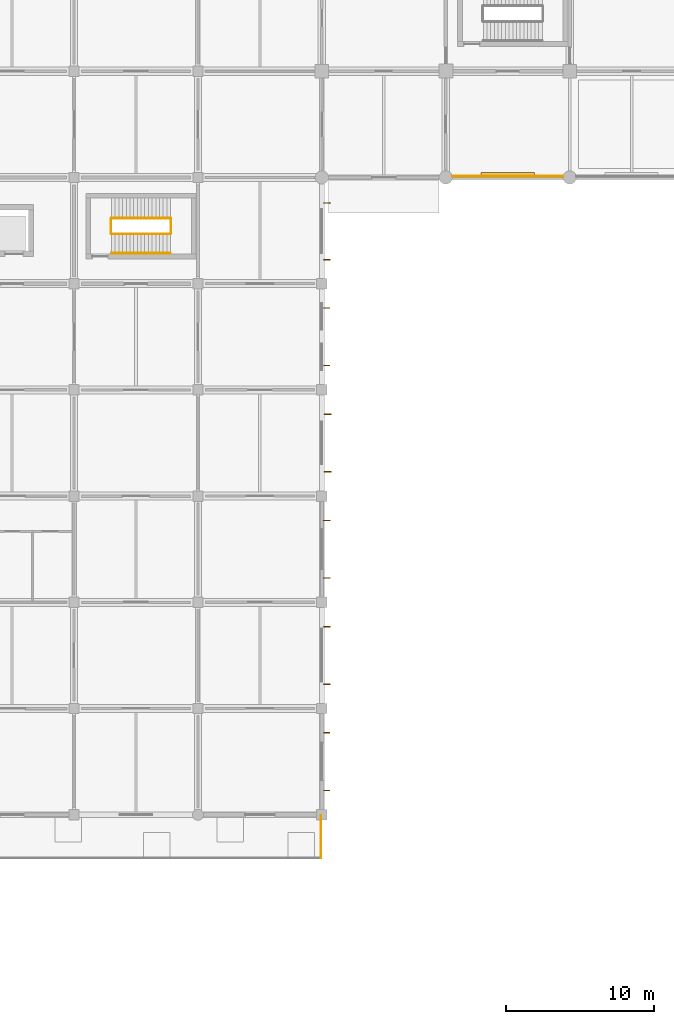
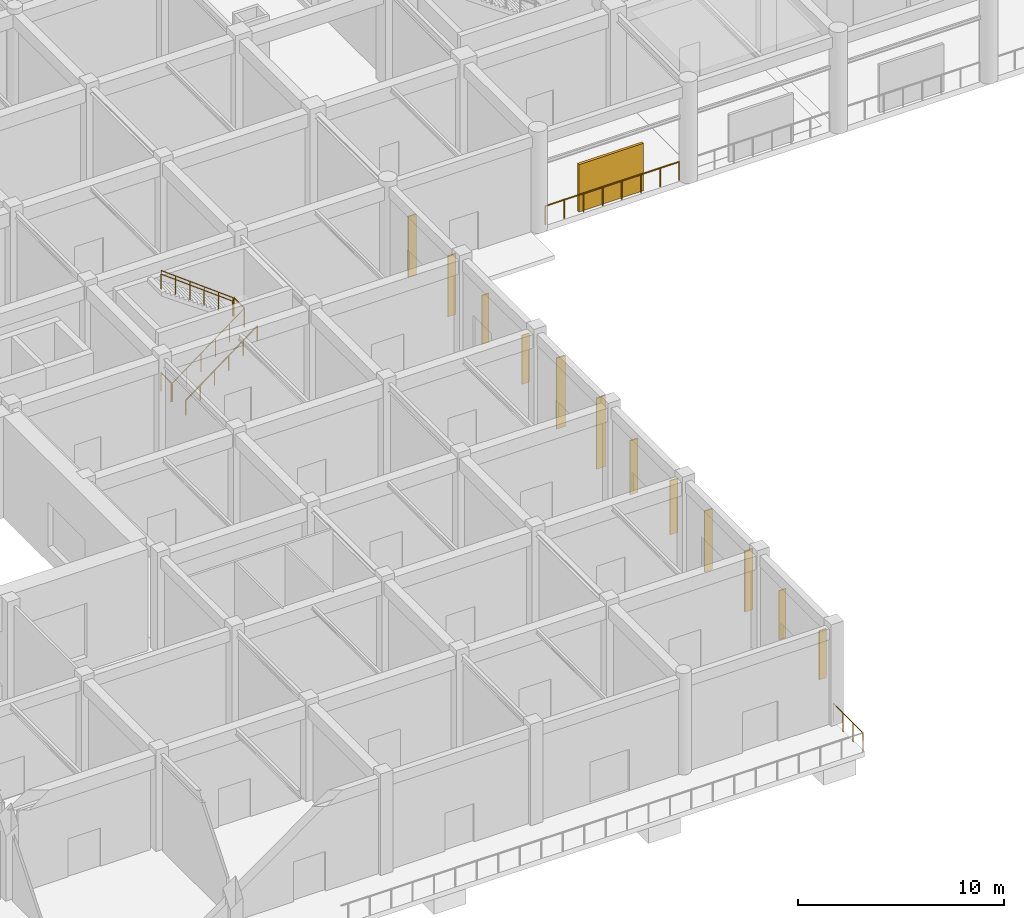
# One storey, part 32 of 39: 13 shading devices, 8 railings.
"""IFC4 building model written with IfcOpenShell, lengths in metres."""

import ifcopenshell
import ifcopenshell.guid

model = None  # the IFC model being written
_history = None  # IfcOwnerHistory: only IFC2X3 demands one
_inside = {}  # id of a spatial element -> (the spatial element, [elements in it])
_under = {}  # id of a project, library or spatial element -> (it, [spatial elements below it])
_declared = {}  # id of a project -> (the project, [libraries it declares])
_typed = {}  # id of a type object -> (the type object, [elements of that type])
_made_of = {}  # id of a material, layer set ... -> (it, [elements and type objects made of it])


def new_model(schema):
    """Start an empty IFC model of exactly this schema.

    Asked for "IFC4X3", IfcOpenShell would pick the latest addendum, in which some entities
    have other attributes; the version numbers below select the first issue.
    IFC2X3 requires an IfcOwnerHistory on every rooted entity: one is made here for all.
    """
    global model, _history
    if schema == "IFC4X3":
        model = ifcopenshell.file(schema_version=(4, 3, 0, 0))
    else:
        model = ifcopenshell.file(schema=schema)
    _inside.clear()
    _under.clear()
    _declared.clear()
    _typed.clear()
    _made_of.clear()
    _history = None
    if model.schema == "IFC2X3":
        org = make("IfcOrganization", Name="unknown")
        user = make(
            "IfcPersonAndOrganization",
            ThePerson=make("IfcPerson", FamilyName="unknown"),
            TheOrganization=org,
        )
        app = make(
            "IfcApplication",
            ApplicationDeveloper=org,
            Version="unknown",
            ApplicationFullName="unknown",
            ApplicationIdentifier="unknown",
        )
        _history = make(
            "IfcOwnerHistory",
            OwningUser=user,
            OwningApplication=app,
            ChangeAction="ADDED",
            CreationDate=0,
        )
    return model


def make(cls, **values):
    """One entity of the class cls with the attributes given. An attribute that is None is left unset."""
    return model.create_entity(
        cls, **{name: value for name, value in values.items() if value is not None}
    )


def rooted(cls, **values):
    """An entity with a GlobalId (a new one), such as an element, a storey or a relation."""
    return make(cls, GlobalId=ifcopenshell.guid.new(), OwnerHistory=_history, **values)


def si_unit(unit_type, name, prefix=None):
    """IfcSIUnit, for example si_unit("LENGTHUNIT", "METRE", prefix="MILLI")."""
    return make("IfcSIUnit", UnitType=unit_type, Prefix=prefix, Name=name)


def derived_unit(unit_type, elements):
    """IfcDerivedUnit: a product of units, each with its exponent."""
    return make(
        "IfcDerivedUnit",
        Elements=[
            make("IfcDerivedUnitElement", Unit=unit, Exponent=power)
            for unit, power in elements
        ],
        UnitType=unit_type,
    )


def assignment(units):
    """IfcUnitAssignment: the units of a project."""
    return None if units is None else make("IfcUnitAssignment", Units=units)


def point(xyz):
    """IfcCartesianPoint."""
    return None if xyz is None else make("IfcCartesianPoint", Coordinates=xyz)


def direction(xyz):
    """IfcDirection."""
    return None if xyz is None else make("IfcDirection", DirectionRatios=xyz)


def frame(location, z_axis=None, x_axis=None):
    """IfcAxis2Placement3D, a coordinate frame: its origin and axes. An axis left out is left unset."""
    return make(
        "IfcAxis2Placement3D",
        Location=point(location),
        Axis=direction(z_axis),
        RefDirection=direction(x_axis),
    )


def frame_2d(location, x_axis=None):
    """IfcAxis2Placement2D, a coordinate frame in the plane: its origin and x axis."""
    return make(
        "IfcAxis2Placement2D", Location=point(location), RefDirection=direction(x_axis)
    )


def origin():
    """The frame at (0, 0, 0) with its axes left unset."""
    return frame((0.0, 0.0, 0.0))


def origin_2d():
    """The frame at (0, 0) in the plane with its x axis left unset."""
    return frame_2d((0.0, 0.0))


def place(relative_to, where):
    """IfcLocalPlacement: puts the frame where relative to a parent placement (None: the world)."""
    return make(
        "IfcLocalPlacement", PlacementRelTo=relative_to, RelativePlacement=where
    )


def context(
    kind, dimensions, precision=None, world=None, true_north=None, identifier=None
):
    """IfcGeometricRepresentationContext, for example the 3D "Model" context."""
    return make(
        "IfcGeometricRepresentationContext",
        ContextIdentifier=identifier,
        ContextType=kind,
        CoordinateSpaceDimension=dimensions,
        Precision=precision,
        WorldCoordinateSystem=world,
        TrueNorth=true_north,
    )


def subcontext(parent, identifier, kind, view, scale=None):
    """IfcGeometricRepresentationSubContext, for example "Body" below "Model"."""
    return make(
        "IfcGeometricRepresentationSubContext",
        ContextIdentifier=identifier,
        ContextType=kind,
        ParentContext=parent,
        TargetScale=scale,
        TargetView=view,
    )


def project(units=None, contexts=None):
    """IfcProject with its units and contexts."""
    return rooted(
        "IfcProject",
        Name="project",
        RepresentationContexts=contexts,
        UnitsInContext=assignment(units),
    )


def spatial(cls, under=None, at=None, **own):
    """A site, building, storey or space (cls), placed at a placement, below another one or the project."""
    s = rooted(cls, ObjectPlacement=at, **own)
    if under is not None:
        _under.setdefault(under.id(), (under, []))[1].append(s)
    return s


def profile(cls, at=None, kind="AREA", **sizes):
    """A parametric profile (cls). Its sizes go by their IFC names, for example OverallWidth=200.0."""
    return make(cls, ProfileType=kind, Position=at, **sizes)


def rectangle(**sizes):
    """IfcRectangleProfileDef."""
    return profile("IfcRectangleProfileDef", **sizes)


def circle(**sizes):
    """IfcCircleProfileDef."""
    return profile("IfcCircleProfileDef", **sizes)


def extrude(swept, where, along, depth):
    """IfcExtrudedAreaSolid: the profile swept, set in the frame where, extruded along a direction by depth."""
    return make(
        "IfcExtrudedAreaSolid",
        SweptArea=swept,
        Position=where,
        ExtrudedDirection=direction(along),
        Depth=depth,
    )


def shape(context_of_items, identifier, shape_type, items):
    """IfcShapeRepresentation: the items that make up one representation, for example the "Body"."""
    return make(
        "IfcShapeRepresentation",
        ContextOfItems=context_of_items,
        RepresentationIdentifier=identifier,
        RepresentationType=shape_type,
        Items=items,
    )


def material(Name=None, Category=None):
    """IfcMaterial."""
    return make("IfcMaterial", Name=Name, Category=Category)


def layer(
    of_material, thickness, ventilated=None, Name=None, Category=None, Priority=None
):
    """IfcMaterialLayer: one layer of a wall or slab, of a material (None: an air gap)."""
    return make(
        "IfcMaterialLayer",
        Material=of_material,
        LayerThickness=thickness,
        IsVentilated=ventilated,
        Name=Name,
        Category=Category,
        Priority=Priority,
    )


def layer_set(layers, Name=None):
    """IfcMaterialLayerSet."""
    return make("IfcMaterialLayerSet", MaterialLayers=layers, LayerSetName=Name)


def made_of(thing, what):
    """Note that an element or type object is made of a material, layer set ...; save() writes the relation."""
    if what is not None:
        _made_of.setdefault(what.id(), (what, []))[1].append(thing)
    return thing


def type_object(cls, material=None, **own):
    """A type object (cls), such as IfcWallType, which elements share."""
    return made_of(rooted(cls, **own), material)


def element(
    cls,
    number,
    at=None,
    inside=None,
    cuts=None,
    type_object=None,
    material=None,
    context=None,
    identifier="Body",
    shape_type=None,
    held_by="IfcProductDefinitionShape",
    body=None,
    shapes=None,
    **own,
):
    """One element of the class cls, such as IfcWall. Its Tag is "e" and its number.

    at: its placement. inside: the storey or other place that contains it. cuts: it is an
    opening in that element (IfcRelVoidsElement). A single representation is given by context,
    identifier, shape_type and body (its items); several are given by shapes. held_by: the class
    of the entity that holds the representations. save() writes the other relations.
    """
    e = rooted(cls, Tag="e%d" % number, ObjectPlacement=at, **own)
    if body is not None:
        shapes = [shape(context, identifier, shape_type, body)]
    if shapes is not None:
        e.Representation = make(held_by, Representations=shapes)
    if inside is not None:
        _inside.setdefault(inside.id(), (inside, []))[1].append(e)
    if cuts is not None:
        rooted(
            "IfcRelVoidsElement", RelatingBuildingElement=cuts, RelatedOpeningElement=e
        )
    if type_object is not None:
        _typed.setdefault(type_object.id(), (type_object, []))[1].append(e)
    return made_of(e, material)


def aggregate(whole, parts):
    """IfcRelAggregates: a whole, such as a stair, and the parts it consists of."""
    return rooted("IfcRelAggregates", RelatingObject=whole, RelatedObjects=parts)


def save(model, path):
    """Write the relations noted so far, then the file.

    IfcRelAggregates (storeys below a building ...), IfcRelContainedInSpatialStructure (elements
    in a storey), IfcRelDefinesByType, IfcRelAssociatesMaterial and IfcRelDeclares: one each for
    every whole, place, type object, material and project.
    """
    for whole, parts in _under.values():
        aggregate(whole, parts)
    for where, things in _inside.values():
        rooted(
            "IfcRelContainedInSpatialStructure",
            RelatedElements=things,
            RelatingStructure=where,
        )
    for kind, things in _typed.values():
        rooted("IfcRelDefinesByType", RelatedObjects=things, RelatingType=kind)
    for what, things in _made_of.values():
        rooted("IfcRelAssociatesMaterial", RelatedObjects=things, RelatingMaterial=what)
    for by, libraries in _declared.values():
        rooted("IfcRelDeclares", RelatingContext=by, RelatedDefinitions=libraries)
    model.write(path)


model = new_model("IFC4")

# Units and contexts
model_context = context("Model", 3, precision=1e-05, world=origin(), true_north=direction((0.0, 1.0)))
body_context = subcontext(model_context, "Body", "Model", "MODEL_VIEW")
ifc_project = project(units=[si_unit("LENGTHUNIT", "METRE"), si_unit("AREAUNIT", "SQUARE_METRE"), si_unit("VOLUMEUNIT", "CUBIC_METRE"), si_unit("PLANEANGLEUNIT", "RADIAN"), si_unit("MASSUNIT", "GRAM", prefix="KILO"), derived_unit("THERMALTRANSMITTANCEUNIT", [(si_unit("MASSUNIT", "GRAM", prefix="KILO"), 1), (si_unit("TIMEUNIT", "SECOND"), -3), (si_unit("THERMODYNAMICTEMPERATUREUNIT", "KELVIN"), -1)])], contexts=[model_context])

# Site, building, storey
site_placement = place(None, origin())
site = spatial("IfcSite", under=ifc_project, at=site_placement, CompositionType="ELEMENT")
building_placement = place(site_placement, origin())
building = spatial("IfcBuilding", under=site, at=building_placement, Name="Veldstrom Oceanarium and Marine Research Institute", CompositionType="ELEMENT")
storey_placement = place(building_placement, origin())
storey = spatial("IfcBuildingStorey", under=building, at=storey_placement, Name="L00", CompositionType="ELEMENT", Elevation=0.0)

# Railings
ifc_material_1 = material(Name="Duplex Stainless Steel Balustrade", Category="steel")
ifc_layer_1 = layer(ifc_material_1, 0.06005859375)
ifc_layer_set_1 = layer_set([ifc_layer_1], Name="ARC-RLG-GR1")
railing_type_1 = type_object("IfcRailingType", Name="ARC-RLG-GR1", PredefinedType="GUARDRAIL", material=ifc_layer_set_1)
railing_1_placement = place(storey_placement, frame((76.050048828125, 43.280029296875, 0.0)))
element("IfcRailing", 1, at=railing_1_placement, inside=storey, type_object=railing_type_1, Name="Pilotis Breezeway Edge Guardrail L00-S9", PredefinedType="GUARDRAIL", context=body_context, shape_type="SweptSolid", body=[
    extrude(circle(Radius=0.02392578125, at=origin_2d()), frame((0.0, 0.0, 1.09619140625), z_axis=(1.0, 0.0, 0.0), x_axis=(0.0, 1.0, 0.0)), (0.0, 0.0, 1.0), 7.5),
    extrude(circle(Radius=0.02099609375, at=origin_2d()), origin(), (0.0, 0.0, 1.0), 1.072021484375),
    extrude(circle(Radius=0.02099609375, at=origin_2d()), frame((1.071533203125, 0.0, 0.0)), (0.0, 0.0, 1.0), 1.072021484375),
    extrude(circle(Radius=0.02099609375, at=origin_2d()), frame((2.142822265625, 0.0, 0.0)), (0.0, 0.0, 1.0), 1.072021484375),
    extrude(circle(Radius=0.02099609375, at=origin_2d()), frame((3.21435546875, 0.0, 0.0)), (0.0, 0.0, 1.0), 1.072021484375),
    extrude(circle(Radius=0.02099609375, at=origin_2d()), frame((4.28564453125, 0.0, 0.0)), (0.0, 0.0, 1.0), 1.072021484375),
    extrude(circle(Radius=0.02099609375, at=origin_2d()), frame((5.357177734375, 0.0, 0.0)), (0.0, 0.0, 1.0), 1.072021484375),
    extrude(circle(Radius=0.02099609375, at=origin_2d()), frame((6.428466796875, 0.0, 0.0)), (0.0, 0.0, 1.0), 1.072021484375),
    extrude(circle(Radius=0.02099609375, at=origin_2d()), frame((7.5, 0.0, 0.0)), (0.0, 0.0, 1.0), 1.072021484375),
])
railing_2_placement = place(storey_placement, frame((52.89990234375, 39.39990234375, 0.0)))
element("IfcRailing", 2, at=railing_2_placement, inside=storey, type_object=railing_type_1, Name="Stair Well Landing Guard ST6 L00", PredefinedType="GUARDRAIL", context=body_context, shape_type="SweptSolid", body=[
    extrude(circle(Radius=0.02392578125, at=origin_2d()), frame((0.0, 0.0, 1.09619140625), z_axis=(0.0, 1.0, 0.0), x_axis=(-1.0, 0.0, 0.0)), (0.0, 0.0, 1.0), 1.0),
    extrude(circle(Radius=0.02099609375, at=origin_2d()), origin(), (0.0, 0.0, 1.0), 1.072021484375),
    extrude(circle(Radius=0.02099609375, at=origin_2d()), frame((0.0, 1.0, 0.0)), (0.0, 0.0, 1.0), 1.072021484375),
])
railing_3_placement = place(storey_placement, frame((52.93994140625, 39.360107421875, 0.0)))
element("IfcRailing", 3, at=railing_3_placement, inside=storey, type_object=railing_type_1, Name="Stair Flight Guardrail ST6-L00-1", PredefinedType="GUARDRAIL", context=body_context, shape_type="SweptSolid", body=[
    extrude(circle(Radius=0.02392578125, at=origin_2d()), frame((0.0, 0.0, 1.09619140625), z_axis=(0.8, 0.0, 0.6), x_axis=(0.0, 1.0, 0.0)), (0.0, 0.0, 1.0), 5.0),
    extrude(circle(Radius=0.02099609375, at=origin_2d()), origin(), (0.0, 0.0, 1.0), 1.072021484375),
    extrude(circle(Radius=0.02099609375, at=origin_2d()), frame((0.800048828125, 0.0, 0.60009765625)), (0.0, 0.0, 1.0), 1.072021484375),
    extrude(circle(Radius=0.02099609375, at=origin_2d()), frame((1.60009765625, 0.0, 1.199951171875)), (0.0, 0.0, 1.0), 1.072021484375),
    extrude(circle(Radius=0.02099609375, at=origin_2d()), frame((2.39990234375, 0.0, 1.800048828125)), (0.0, 0.0, 1.0), 1.072021484375),
    extrude(circle(Radius=0.02099609375, at=origin_2d()), frame((3.199951171875, 0.0, 2.39990234375)), (0.0, 0.0, 1.0), 1.072021484375),
    extrude(circle(Radius=0.02099609375, at=origin_2d()), frame((4.0, 0.0, 3.0)), (0.0, 0.0, 1.0), 1.072021484375),
])
railing_4_placement = place(storey_placement, frame((56.97998046875, 39.39990234375, 3.0)))
element("IfcRailing", 4, at=railing_4_placement, inside=storey, type_object=railing_type_1, Name="Stair Half-Landing Guardrail ST6-L00", PredefinedType="GUARDRAIL", context=body_context, shape_type="SweptSolid", body=[
    extrude(circle(Radius=0.02392578125, at=origin_2d()), frame((0.0, 0.0, 1.09619140625), z_axis=(0.0, 1.0, 0.0), x_axis=(-1.0, 0.0, 0.0)), (0.0, 0.0, 1.0), 1.0),
    extrude(circle(Radius=0.02099609375, at=origin_2d()), origin(), (0.0, 0.0, 1.0), 1.072021484375),
    extrude(circle(Radius=0.02099609375, at=origin_2d()), frame((0.0, 1.0, 0.0)), (0.0, 0.0, 1.0), 1.072021484375),
])
railing_5_placement = place(storey_placement, frame((56.93994140625, 40.43994140625, 3.0)))
element("IfcRailing", 5, at=railing_5_placement, inside=storey, type_object=railing_type_1, Name="Stair Flight Guardrail ST6-L00-2", PredefinedType="GUARDRAIL", context=body_context, shape_type="SweptSolid", body=[
    extrude(circle(Radius=0.02392578125, at=origin_2d()), frame((0.0, 0.0, 1.09619140625), z_axis=(-0.8, 0.0, 0.6), x_axis=(0.0, -1.0, 0.0)), (0.0, 0.0, 1.0), 5.0),
    extrude(circle(Radius=0.02099609375, at=origin_2d()), origin(), (0.0, 0.0, 1.0), 1.072021484375),
    extrude(circle(Radius=0.02099609375, at=origin_2d()), frame((-0.800048828125, 0.0, 0.60009765625)), (0.0, 0.0, 1.0), 1.072021484375),
    extrude(circle(Radius=0.02099609375, at=origin_2d()), frame((-1.60009765625, 0.0, 1.199951171875)), (0.0, 0.0, 1.0), 1.072021484375),
    extrude(circle(Radius=0.02099609375, at=origin_2d()), frame((-2.39990234375, 0.0, 1.800048828125)), (0.0, 0.0, 1.0), 1.072021484375),
    extrude(circle(Radius=0.02099609375, at=origin_2d()), frame((-3.199951171875, 0.0, 2.39990234375)), (0.0, 0.0, 1.0), 1.072021484375),
    extrude(circle(Radius=0.02099609375, at=origin_2d()), frame((-4.0, 0.0, 3.0)), (0.0, 0.0, 1.0), 1.072021484375),
])
railing_6_placement = place(storey_placement, frame((67.139892578125, -2.93994140625, 0.0)))
element("IfcRailing", 6, at=railing_6_placement, inside=storey, type_object=railing_type_1, Name="Forecourt Plaza E Guardrail", PredefinedType="GUARDRAIL", context=body_context, shape_type="SweptSolid", body=[
    extrude(circle(Radius=0.02392578125, at=origin_2d()), frame((0.0, 0.0, 1.09619140625), z_axis=(0.0, 1.0, 0.0), x_axis=(-1.0, 0.0, 0.0)), (0.0, 0.0, 1.0), 2.8798828125),
    extrude(circle(Radius=0.02099609375, at=origin_2d()), origin(), (0.0, 0.0, 1.0), 1.072021484375),
    extrude(circle(Radius=0.02099609375, at=origin_2d()), frame((0.0, 0.9599609375, 0.0)), (0.0, 0.0, 1.0), 1.072021484375),
    extrude(circle(Radius=0.02099609375, at=origin_2d()), frame((0.0, 1.919921875, 0.0)), (0.0, 0.0, 1.0), 1.072021484375),
    extrude(circle(Radius=0.02099609375, at=origin_2d()), frame((0.0, 2.8798828125, 0.0)), (0.0, 0.0, 1.0), 1.072021484375),
])
ifc_material_2 = material(Name="Brushed Stainless Steel Handrail", Category="steel")
ifc_layer_2 = layer(ifc_material_2, 0.050048828125)
ifc_layer_set_2 = layer_set([ifc_layer_2], Name="ARC-RLG-HR1")
railing_type_2 = type_object("IfcRailingType", Name="ARC-RLG-HR1", PredefinedType="HANDRAIL", material=ifc_layer_set_2)
railing_7_placement = place(storey_placement, frame((52.93994140625, 38.06005859375, 0.0)))
element("IfcRailing", 7, at=railing_7_placement, inside=storey, type_object=railing_type_2, Name="Stair Wall Handrail ST6-L00-1", PredefinedType="HANDRAIL", context=body_context, shape_type="SweptSolid", body=[
    extrude(circle(Radius=0.02392578125, at=origin_2d()), frame((0.0, 0.0, 0.8759765625), z_axis=(0.8, 0.0, 0.6), x_axis=(0.0, 1.0, 0.0)), (0.0, 0.0, 1.0), 5.0),
    extrude(circle(Radius=0.02099609375, at=origin_2d()), origin(), (0.0, 0.0, 1.0), 0.851806640625),
    extrude(circle(Radius=0.02099609375, at=origin_2d()), frame((0.800048828125, 0.0, 0.60009765625)), (0.0, 0.0, 1.0), 0.851806640625),
    extrude(circle(Radius=0.02099609375, at=origin_2d()), frame((1.60009765625, 0.0, 1.199951171875)), (0.0, 0.0, 1.0), 0.851806640625),
    extrude(circle(Radius=0.02099609375, at=origin_2d()), frame((2.39990234375, 0.0, 1.800048828125)), (0.0, 0.0, 1.0), 0.851806640625),
    extrude(circle(Radius=0.02099609375, at=origin_2d()), frame((3.199951171875, 0.0, 2.39990234375)), (0.0, 0.0, 1.0), 0.851806640625),
    extrude(circle(Radius=0.02099609375, at=origin_2d()), frame((4.0, 0.0, 3.0)), (0.0, 0.0, 1.0), 0.851806640625),
])
railing_8_placement = place(storey_placement, frame((56.93994140625, 40.4599609375, 3.0)))
element("IfcRailing", 8, at=railing_8_placement, inside=storey, type_object=railing_type_2, Name="Stair Wall Handrail ST6-L00-2", PredefinedType="HANDRAIL", context=body_context, shape_type="SweptSolid", body=[
    extrude(circle(Radius=0.02392578125, at=origin_2d()), frame((0.0, 0.0, 0.8759765625), z_axis=(-0.8, 0.0, 0.6), x_axis=(0.0, -1.0, 0.0)), (0.0, 0.0, 1.0), 5.0),
    extrude(circle(Radius=0.02099609375, at=origin_2d()), origin(), (0.0, 0.0, 1.0), 0.851806640625),
    extrude(circle(Radius=0.02099609375, at=origin_2d()), frame((-0.800048828125, 0.0, 0.60009765625)), (0.0, 0.0, 1.0), 0.851806640625),
    extrude(circle(Radius=0.02099609375, at=origin_2d()), frame((-1.60009765625, 0.0, 1.199951171875)), (0.0, 0.0, 1.0), 0.851806640625),
    extrude(circle(Radius=0.02099609375, at=origin_2d()), frame((-2.39990234375, 0.0, 1.800048828125)), (0.0, 0.0, 1.0), 0.851806640625),
    extrude(circle(Radius=0.02099609375, at=origin_2d()), frame((-3.199951171875, 0.0, 2.39990234375)), (0.0, 0.0, 1.0), 0.851806640625),
    extrude(circle(Radius=0.02099609375, at=origin_2d()), frame((-4.0, 0.0, 3.0)), (0.0, 0.0, 1.0), 0.851806640625),
])

# Shading devices
ifc_material_3 = material(Name="Precast Terracotta Brise-Soleil Louvre", Category="masonry")
ifc_layer_3 = layer(ifc_material_3, 3.60009765625)
ifc_layer_set_3 = layer_set([ifc_layer_3], Name="ARC-SHD-BS01")
shading_device_type_1 = type_object("IfcShadingDeviceType", Name="ARC-SHD-BS01", PredefinedType="JALOUSIE", material=ifc_layer_set_3)
for number, where, z_axis, x_axis, name in (
    (9, (67.544921875, 8.85009765625, 1.037353515625), (0.0, 0.0, 1.0), (1.0, 0.0, 0.0), "Terracotta Brise-Soleil Louvre L00-008"),
    (10, (67.544921875, 12.75, 1.037353515625), (0.0, 0.0, 1.0), (1.0, 0.0, 0.0), "Terracotta Brise-Soleil Louvre L00-008"),
    (11, (67.554931640625, 37.6298828125, 1.037353515625), (0.0, 0.0, 1.0), (1.0, 0.0, 0.0), "Terracotta Brise-Soleil Louvre L00-012"),
    (12, (67.554931640625, 41.469970703125, 1.037353515625), (0.0, 0.0, 1.0), (1.0, 0.0, 0.0), "Terracotta Brise-Soleil Louvre L00-012"),
):
    element("IfcShadingDevice", number, at=place(storey_placement, frame(where, z_axis=z_axis, x_axis=x_axis)), inside=storey, type_object=shading_device_type_1, Name=name, PredefinedType="JALOUSIE", context=body_context, shape_type="SweptSolid", body=[
        extrude(rectangle(XDim=0.449951171875, YDim=0.06005859375, at=origin_2d()), origin(), (0.0, 0.0, 1.0), 3.60009765625),
    ])
ifc_material_4 = material(Name="Precast Terracotta Brise-Soleil Louvre", Category="masonry")
ifc_layer_4 = layer(ifc_material_4, 3.199951171875)
ifc_layer_set_4 = layer_set([ifc_layer_4], Name="ARC-SHD-BS02")
shading_device_type_2 = type_object("IfcShadingDeviceType", Name="ARC-SHD-BS02", PredefinedType="JALOUSIE", material=ifc_layer_set_4)
for number, where, z_axis, x_axis, name in (
    (13, (67.527587890625, 16.050048828125, 1.2373046875), (0.0, 0.0, 1.0), (1.0, 0.0, 0.0), "Terracotta Brise-Soleil Louvre L00-009"),
    (14, (67.527587890625, 19.949951171875, 1.2373046875), (0.0, 0.0, 1.0), (1.0, 0.0, 0.0), "Terracotta Brise-Soleil Louvre L00-009"),
):
    element("IfcShadingDevice", number, at=place(storey_placement, frame(where, z_axis=z_axis, x_axis=x_axis)), inside=storey, type_object=shading_device_type_2, Name=name, PredefinedType="JALOUSIE", context=body_context, shape_type="SweptSolid", body=[
        extrude(rectangle(XDim=0.449951171875, YDim=0.06005859375, at=origin_2d()), origin(), (0.0, 0.0, 1.0), 3.199951171875),
    ])
ifc_material_5 = material(Name="Precast Terracotta Brise-Soleil Louvre", Category="masonry")
ifc_layer_5 = layer(ifc_material_5, 4.199951171875)
ifc_layer_set_5 = layer_set([ifc_layer_5], Name="ARC-SHD-BS03")
shading_device_type_3 = type_object("IfcShadingDeviceType", Name="ARC-SHD-BS03", PredefinedType="JALOUSIE", material=ifc_layer_set_5)
for number, where, z_axis, x_axis, name in (
    (15, (67.60009765625, 23.25, 0.7373046875), (0.0, 0.0, 1.0), (1.0, 0.0, 0.0), "Terracotta Brise-Soleil Louvre L00-010"),
    (16, (67.60009765625, 27.14990234375, 0.7373046875), (0.0, 0.0, 1.0), (1.0, 0.0, 0.0), "Terracotta Brise-Soleil Louvre L00-010"),
):
    element("IfcShadingDevice", number, at=place(storey_placement, frame(where, z_axis=z_axis, x_axis=x_axis)), inside=storey, type_object=shading_device_type_3, Name=name, PredefinedType="JALOUSIE", context=body_context, shape_type="SweptSolid", body=[
        extrude(rectangle(XDim=0.5, YDim=0.06494140625, at=origin_2d()), origin(), (0.0, 0.0, 1.0), 4.199951171875),
    ])
ifc_material_6 = material(Name="Precast Terracotta Brise-Soleil Louvre", Category="masonry")
ifc_layer_6 = layer(ifc_material_6, 2.89990234375)
ifc_layer_set_6 = layer_set([ifc_layer_6], Name="ARC-SHD-BS04")
shading_device_type_4 = type_object("IfcShadingDeviceType", Name="ARC-SHD-BS04", PredefinedType="JALOUSIE", material=ifc_layer_set_6)
for number, where, z_axis, x_axis, name in (
    (17, (67.530029296875, 1.64990234375, 1.387451171875), (0.0, 0.0, 1.0), (1.0, 0.0, 0.0), "Terracotta Brise-Soleil Louvre L00-007"),
    (18, (67.530029296875, 5.550048828125, 1.387451171875), (0.0, 0.0, 1.0), (1.0, 0.0, 0.0), "Terracotta Brise-Soleil Louvre L00-007"),
    (19, (67.5400390625, 30.449951171875, 1.387451171875), (0.0, 0.0, 1.0), (1.0, 0.0, 0.0), "Terracotta Brise-Soleil Louvre L00-011"),
    (20, (67.5400390625, 34.35009765625, 1.387451171875), (0.0, 0.0, 1.0), (1.0, 0.0, 0.0), "Terracotta Brise-Soleil Louvre L00-011"),
):
    element("IfcShadingDevice", number, at=place(storey_placement, frame(where, z_axis=z_axis, x_axis=x_axis)), inside=storey, type_object=shading_device_type_4, Name=name, PredefinedType="JALOUSIE", context=body_context, shape_type="SweptSolid", body=[
        extrude(rectangle(XDim=0.39990234375, YDim=0.054931640625, at=origin_2d()), origin(), (0.0, 0.0, 1.0), 2.89990234375),
    ])
ifc_material_7 = material(Name="Precast GRC Claustra Sun-Screen", Category="concrete")
ifc_layer_7 = layer(ifc_material_7, 2.800048828125)
ifc_layer_set_7 = layer_set([ifc_layer_7], Name="ARC-SHD-CL01")
shading_device_type_5 = type_object("IfcShadingDeviceType", Name="ARC-SHD-CL01", PredefinedType="SHUTTER", material=ifc_layer_set_7)
shading_device_placement = place(storey_placement, frame((79.800048828125, 43.449951171875, 0.0), z_axis=(0.0, 0.0, 1.0), x_axis=(1.0, 0.0, 0.0)))
element("IfcShadingDevice", 21, at=shading_device_placement, inside=storey, type_object=shading_device_type_5, Name="Precast GRC Claustra Sun-Screen L00-S1", PredefinedType="SHUTTER", context=body_context, shape_type="SweptSolid", body=[
    extrude(rectangle(XDim=3.60009765625, YDim=0.139892578125, at=origin_2d()), origin(), (0.0, 0.0, 1.0), 2.800048828125),
])

save(model, "model.ifc")
